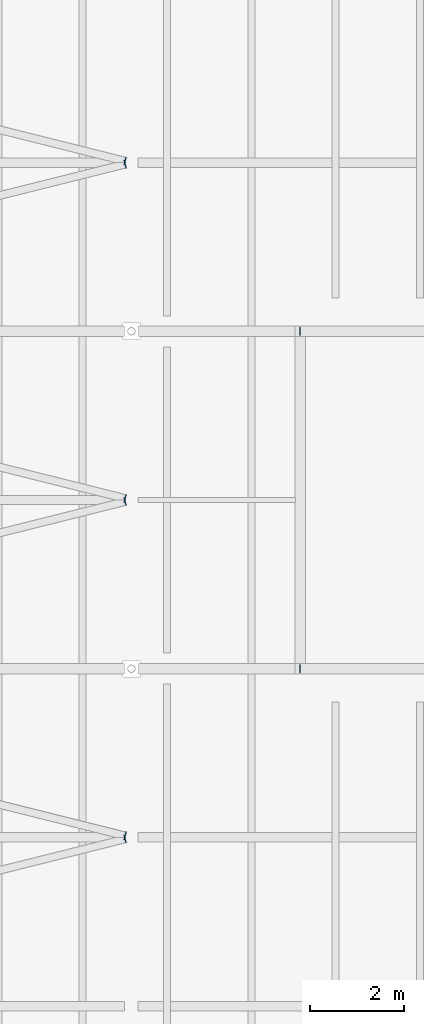
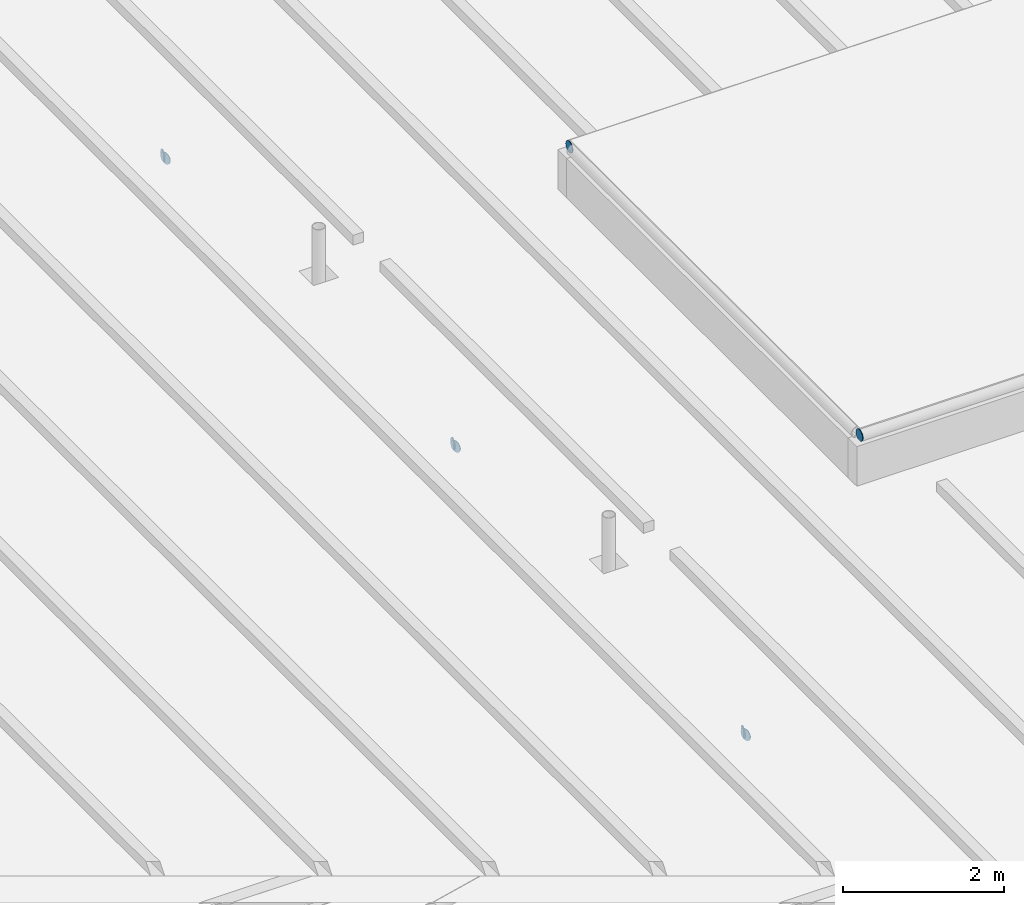
# One storey, part 82 of 120: 8 discrete accessories.
"""IFC4 building model written with IfcOpenShell, lengths in metres."""

from ifc_helpers import new_model, si_unit, direction, frame, origin, origin_2d, place, context, subcontext, project, spatial, circle, extrude, material, layer, layer_set, type_object, element, save


model = new_model("IFC4")

# Units and contexts
model_context = context("Model", 3, precision=1e-05, world=origin(), true_north=direction((0.0, 1.0)))
body_context = subcontext(model_context, "Body", "Model", "MODEL_VIEW")
ifc_project = project(units=[si_unit("LENGTHUNIT", "METRE"), si_unit("AREAUNIT", "SQUARE_METRE"), si_unit("VOLUMEUNIT", "CUBIC_METRE"), si_unit("PLANEANGLEUNIT", "RADIAN"), si_unit("MASSUNIT", "GRAM", prefix="KILO")], contexts=[model_context])

# Site, building, storey
site_placement = place(None, origin())
site = spatial("IfcSite", under=ifc_project, at=site_placement, CompositionType="ELEMENT")
building_placement = place(site_placement, origin())
building = spatial("IfcBuilding", under=site, at=building_placement, Name="Kupolbacken Congress Centre", CompositionType="ELEMENT")
storey_placement = place(building_placement, frame((0.0, 0.0, 21.60009765625)))
storey = spatial("IfcBuildingStorey", under=building, at=storey_placement, Name="L06", CompositionType="ELEMENT", Elevation=21.60009765625)

# Discrete accessories
ifc_material = material(Name="Steel S355", Category="steel")
ifc_layer = layer(ifc_material, 0.011962890625)
ifc_layer_set = layer_set([ifc_layer], Name="Steel S355")
discrete_accessory_type = type_object("IfcDiscreteAccessoryType", Name="EC2 tube end cap plate 168 dia x 12", PredefinedType="BRACKET", material=ifc_layer_set)
for number, where, z_axis, x_axis, name in (
    (1, (136.6591796875, 71.96484375, -0.084228515625), (0.970142500145, 0.242535625036, 0.0), (-0.242535625036, 0.970142500145, 0.0), "End cap plate HR/RB/03-07 B"),
    (2, (136.6591796875, 72.03515625, -0.084228515625), (0.970142500145, -0.242535625036, 0.0), (0.242535625036, 0.970142500145, 0.0), "End cap plate HR/RB/03-08 A"),
    (3, (136.6591796875, 79.164794921875, -0.084228515625), (0.970142500145, 0.242535625036, 0.0), (-0.242535625036, 0.970142500145, 0.0), "End cap plate HR/RB/03-09 B"),
    (4, (136.6591796875, 79.235107421875, -0.084228515625), (0.974732318528, -0.223376156329, 0.0), (0.223376156329, 0.974732318528, 0.0), "End cap plate HR/RB/03-10 A"),
    (5, (136.6591796875, 86.36474609375, -0.084228515625), (0.970142500145, 0.242535625036, 0.0), (-0.242535625036, 0.970142500145, 0.0), "End cap plate HR/RB/03-11 B"),
    (6, (136.6591796875, 86.435302734375, -0.084228515625), (0.970142500145, -0.242535625036, 0.0), (0.242535625036, 0.970142500145, 0.0), "End cap plate HR/RB/03-12 A"),
    (7, (140.39990234375, 82.800048828125, 0.944091796875), (-1.0, 0.0, 0.0), (0.0, -1.0, 0.0), "End cap plate RD/RL5/FN A"),
    (8, (140.39990234375, 75.60009765625, 0.944091796875), (-1.0, 0.0, 0.0), (0.0, -1.0, 0.0), "End cap plate RD/RL5/FS A"),
):
    element("IfcDiscreteAccessory", number, at=place(storey_placement, frame(where, z_axis=z_axis, x_axis=x_axis)), inside=storey, type_object=discrete_accessory_type, Name=name, PredefinedType="BRACKET", context=body_context, shape_type="SweptSolid", body=[
        extrude(circle(Radius=0.084228515625, at=origin_2d()), origin(), (0.0, 0.0, 1.0), 0.011962890625),
    ])

save(model, "model.ifc")
